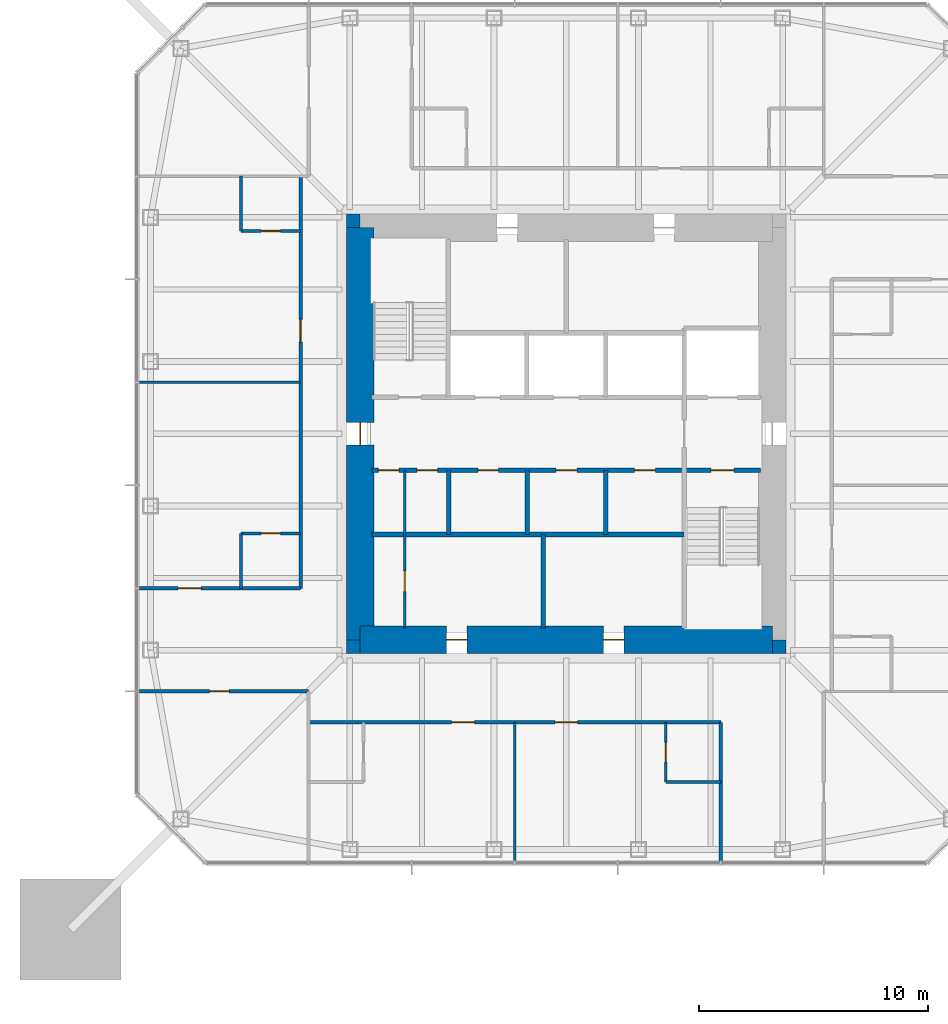
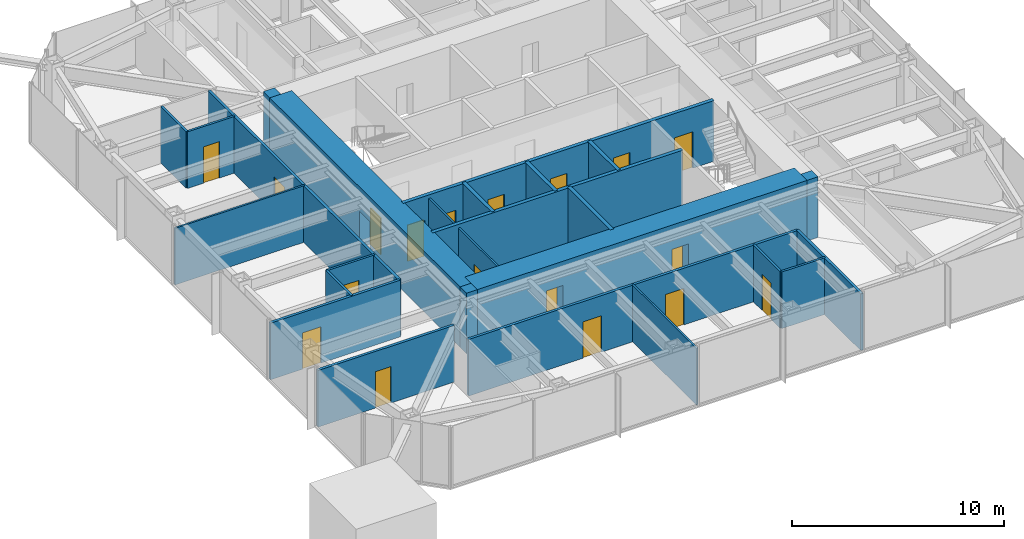
# One storey, part 6 of 11: 25 walls, 18 doors, 18 openings.
"""IFC4 building model written with IfcOpenShell, lengths in metres."""

import ifcopenshell
import ifcopenshell.guid

model = None  # the IFC model being written
_history = None  # IfcOwnerHistory: only IFC2X3 demands one
_inside = {}  # id of a spatial element -> (the spatial element, [elements in it])
_under = {}  # id of a project, library or spatial element -> (it, [spatial elements below it])
_declared = {}  # id of a project -> (the project, [libraries it declares])
_typed = {}  # id of a type object -> (the type object, [elements of that type])
_made_of = {}  # id of a material, layer set ... -> (it, [elements and type objects made of it])


def new_model(schema):
    """Start an empty IFC model of exactly this schema.

    Asked for "IFC4X3", IfcOpenShell would pick the latest addendum, in which some entities
    have other attributes; the version numbers below select the first issue.
    IFC2X3 requires an IfcOwnerHistory on every rooted entity: one is made here for all.
    """
    global model, _history
    if schema == "IFC4X3":
        model = ifcopenshell.file(schema_version=(4, 3, 0, 0))
    else:
        model = ifcopenshell.file(schema=schema)
    _inside.clear()
    _under.clear()
    _declared.clear()
    _typed.clear()
    _made_of.clear()
    _history = None
    if model.schema == "IFC2X3":
        org = make("IfcOrganization", Name="unknown")
        user = make(
            "IfcPersonAndOrganization",
            ThePerson=make("IfcPerson", FamilyName="unknown"),
            TheOrganization=org,
        )
        app = make(
            "IfcApplication",
            ApplicationDeveloper=org,
            Version="unknown",
            ApplicationFullName="unknown",
            ApplicationIdentifier="unknown",
        )
        _history = make(
            "IfcOwnerHistory",
            OwningUser=user,
            OwningApplication=app,
            ChangeAction="ADDED",
            CreationDate=0,
        )
    return model


def make(cls, **values):
    """One entity of the class cls with the attributes given. An attribute that is None is left unset."""
    return model.create_entity(
        cls, **{name: value for name, value in values.items() if value is not None}
    )


def rooted(cls, **values):
    """An entity with a GlobalId (a new one), such as an element, a storey or a relation."""
    return make(cls, GlobalId=ifcopenshell.guid.new(), OwnerHistory=_history, **values)


def si_unit(unit_type, name, prefix=None):
    """IfcSIUnit, for example si_unit("LENGTHUNIT", "METRE", prefix="MILLI")."""
    return make("IfcSIUnit", UnitType=unit_type, Prefix=prefix, Name=name)


def assignment(units):
    """IfcUnitAssignment: the units of a project."""
    return None if units is None else make("IfcUnitAssignment", Units=units)


def point(xyz):
    """IfcCartesianPoint."""
    return None if xyz is None else make("IfcCartesianPoint", Coordinates=xyz)


def direction(xyz):
    """IfcDirection."""
    return None if xyz is None else make("IfcDirection", DirectionRatios=xyz)


def frame(location, z_axis=None, x_axis=None):
    """IfcAxis2Placement3D, a coordinate frame: its origin and axes. An axis left out is left unset."""
    return make(
        "IfcAxis2Placement3D",
        Location=point(location),
        Axis=direction(z_axis),
        RefDirection=direction(x_axis),
    )


def frame_2d(location, x_axis=None):
    """IfcAxis2Placement2D, a coordinate frame in the plane: its origin and x axis."""
    return make(
        "IfcAxis2Placement2D", Location=point(location), RefDirection=direction(x_axis)
    )


def origin():
    """The frame at (0, 0, 0) with its axes left unset."""
    return frame((0.0, 0.0, 0.0))


def place(relative_to, where):
    """IfcLocalPlacement: puts the frame where relative to a parent placement (None: the world)."""
    return make(
        "IfcLocalPlacement", PlacementRelTo=relative_to, RelativePlacement=where
    )


def context(
    kind, dimensions, precision=None, world=None, true_north=None, identifier=None
):
    """IfcGeometricRepresentationContext, for example the 3D "Model" context."""
    return make(
        "IfcGeometricRepresentationContext",
        ContextIdentifier=identifier,
        ContextType=kind,
        CoordinateSpaceDimension=dimensions,
        Precision=precision,
        WorldCoordinateSystem=world,
        TrueNorth=true_north,
    )


def subcontext(parent, identifier, kind, view, scale=None):
    """IfcGeometricRepresentationSubContext, for example "Body" below "Model"."""
    return make(
        "IfcGeometricRepresentationSubContext",
        ContextIdentifier=identifier,
        ContextType=kind,
        ParentContext=parent,
        TargetScale=scale,
        TargetView=view,
    )


def project(units=None, contexts=None):
    """IfcProject with its units and contexts."""
    return rooted(
        "IfcProject",
        Name="project",
        RepresentationContexts=contexts,
        UnitsInContext=assignment(units),
    )


def spatial(cls, under=None, at=None, **own):
    """A site, building, storey or space (cls), placed at a placement, below another one or the project."""
    s = rooted(cls, ObjectPlacement=at, **own)
    if under is not None:
        _under.setdefault(under.id(), (under, []))[1].append(s)
    return s


def profile(cls, at=None, kind="AREA", **sizes):
    """A parametric profile (cls). Its sizes go by their IFC names, for example OverallWidth=200.0."""
    return make(cls, ProfileType=kind, Position=at, **sizes)


def rectangle(**sizes):
    """IfcRectangleProfileDef."""
    return profile("IfcRectangleProfileDef", **sizes)


def extrude(swept, where, along, depth):
    """IfcExtrudedAreaSolid: the profile swept, set in the frame where, extruded along a direction by depth."""
    return make(
        "IfcExtrudedAreaSolid",
        SweptArea=swept,
        Position=where,
        ExtrudedDirection=direction(along),
        Depth=depth,
    )


def shape(context_of_items, identifier, shape_type, items):
    """IfcShapeRepresentation: the items that make up one representation, for example the "Body"."""
    return make(
        "IfcShapeRepresentation",
        ContextOfItems=context_of_items,
        RepresentationIdentifier=identifier,
        RepresentationType=shape_type,
        Items=items,
    )


def material(Name=None, Category=None):
    """IfcMaterial."""
    return make("IfcMaterial", Name=Name, Category=Category)


def layer(
    of_material, thickness, ventilated=None, Name=None, Category=None, Priority=None
):
    """IfcMaterialLayer: one layer of a wall or slab, of a material (None: an air gap)."""
    return make(
        "IfcMaterialLayer",
        Material=of_material,
        LayerThickness=thickness,
        IsVentilated=ventilated,
        Name=Name,
        Category=Category,
        Priority=Priority,
    )


def layer_set(layers, Name=None):
    """IfcMaterialLayerSet."""
    return make("IfcMaterialLayerSet", MaterialLayers=layers, LayerSetName=Name)


def made_of(thing, what):
    """Note that an element or type object is made of a material, layer set ...; save() writes the relation."""
    if what is not None:
        _made_of.setdefault(what.id(), (what, []))[1].append(thing)
    return thing


def type_object(cls, material=None, **own):
    """A type object (cls), such as IfcWallType, which elements share."""
    return made_of(rooted(cls, **own), material)


def element(
    cls,
    number,
    at=None,
    inside=None,
    cuts=None,
    type_object=None,
    material=None,
    context=None,
    identifier="Body",
    shape_type=None,
    held_by="IfcProductDefinitionShape",
    body=None,
    shapes=None,
    **own,
):
    """One element of the class cls, such as IfcWall. Its Tag is "e" and its number.

    at: its placement. inside: the storey or other place that contains it. cuts: it is an
    opening in that element (IfcRelVoidsElement). A single representation is given by context,
    identifier, shape_type and body (its items); several are given by shapes. held_by: the class
    of the entity that holds the representations. save() writes the other relations.
    """
    e = rooted(cls, Tag="e%d" % number, ObjectPlacement=at, **own)
    if body is not None:
        shapes = [shape(context, identifier, shape_type, body)]
    if shapes is not None:
        e.Representation = make(held_by, Representations=shapes)
    if inside is not None:
        _inside.setdefault(inside.id(), (inside, []))[1].append(e)
    if cuts is not None:
        rooted(
            "IfcRelVoidsElement", RelatingBuildingElement=cuts, RelatedOpeningElement=e
        )
    if type_object is not None:
        _typed.setdefault(type_object.id(), (type_object, []))[1].append(e)
    return made_of(e, material)


def fill(opening, filler):
    """IfcRelFillsElement: the door or window that sits in an opening."""
    return rooted(
        "IfcRelFillsElement",
        RelatingOpeningElement=opening,
        RelatedBuildingElement=filler,
    )


def aggregate(whole, parts):
    """IfcRelAggregates: a whole, such as a stair, and the parts it consists of."""
    return rooted("IfcRelAggregates", RelatingObject=whole, RelatedObjects=parts)


def save(model, path):
    """Write the relations noted so far, then the file.

    IfcRelAggregates (storeys below a building ...), IfcRelContainedInSpatialStructure (elements
    in a storey), IfcRelDefinesByType, IfcRelAssociatesMaterial and IfcRelDeclares: one each for
    every whole, place, type object, material and project.
    """
    for whole, parts in _under.values():
        aggregate(whole, parts)
    for where, things in _inside.values():
        rooted(
            "IfcRelContainedInSpatialStructure",
            RelatedElements=things,
            RelatingStructure=where,
        )
    for kind, things in _typed.values():
        rooted("IfcRelDefinesByType", RelatedObjects=things, RelatingType=kind)
    for what, things in _made_of.values():
        rooted("IfcRelAssociatesMaterial", RelatedObjects=things, RelatingMaterial=what)
    for by, libraries in _declared.values():
        rooted("IfcRelDeclares", RelatingContext=by, RelatedDefinitions=libraries)
    model.write(path)


model = new_model("IFC4")

# Units and contexts
model_context = context("Model", 3, precision=1e-05, world=origin(), true_north=direction((0.0, 1.0)))
body_context = subcontext(model_context, "Body", "Model", "MODEL_VIEW")
ifc_project = project(units=[si_unit("LENGTHUNIT", "METRE"), si_unit("AREAUNIT", "SQUARE_METRE"), si_unit("VOLUMEUNIT", "CUBIC_METRE"), si_unit("PLANEANGLEUNIT", "RADIAN"), si_unit("MASSUNIT", "GRAM", prefix="KILO")], contexts=[model_context])

# Site, building, storey
site_placement = place(None, origin())
site = spatial("IfcSite", under=ifc_project, at=site_placement, CompositionType="ELEMENT")
building_placement = place(site_placement, origin())
building = spatial("IfcBuilding", under=site, at=building_placement, Name="Iwan Alto Co-Living Towers", CompositionType="ELEMENT")
storey_placement = place(building_placement, frame((0.0, 0.0, 195.0)))
storey = spatial("IfcBuildingStorey", under=building, at=storey_placement, Name="L53", CompositionType="ELEMENT", Elevation=195.0)

# Wall, openings, doors
ifc_material_1 = material(Name="Gypsum board")
ifc_layer_1 = layer(ifc_material_1, 0.02490234375, Name="Board", Category="Finish")
ifc_material_2 = material(Name="Steel ASTM A1003 ST33H cold-formed studs", Category="steel")
ifc_layer_2 = layer(ifc_material_2, 0.10009765625, Name="Studs", Category="Framing")
ifc_layer_3 = layer(ifc_material_1, 0.02490234375, Name="Board", Category="Finish")
ifc_layer_set_1 = layer_set([ifc_layer_1, ifc_layer_2, ifc_layer_3], Name="CORRIDOR WALL 150")
wall_type_1 = type_object("IfcWallType", Name="CORRIDOR WALL 150", PredefinedType="PARTITIONING", material=ifc_layer_set_1)
wall_1_placement = place(storey_placement, frame((-11.25, -12.60009765625, 0.0), z_axis=(0.0, 0.0, 1.0), x_axis=(1.0, 0.0, 0.0)))
wall_1 = element("IfcWall", 1, at=wall_1_placement, inside=storey, type_object=wall_type_1, Name="Partition L53", PredefinedType="PARTITIONING", context=body_context, shape_type="SweptSolid", body=[
    extrude(rectangle(XDim=18.0, YDim=0.14990234375, at=frame_2d((9.0, 0.0))), origin(), (0.0, 0.0, 1.0), 3.27001953125),
])
opening_1_placement = place(wall_1_placement, frame((6.25, 0.0, 0.0)))
opening_1 = element("IfcOpeningElement", 2, at=opening_1_placement, cuts=wall_1, Name="Opening D3", PredefinedType="OPENING", context=body_context, shape_type="SweptSolid", body=[
    extrude(rectangle(XDim=1.0, YDim=2.10009765625, at=frame_2d((0.5, 1.050048828125))), frame((0.0, 0.0849609375, 0.0), z_axis=(0.0, -1.0, 0.0), x_axis=(1.0, 0.0, 0.0)), (0.0, 0.0, 1.0), 0.169921875),
])
opening_2_placement = place(wall_1_placement, frame((10.75, 0.0, 0.0)))
opening_2 = element("IfcOpeningElement", 3, at=opening_2_placement, cuts=wall_1, Name="Opening D3", PredefinedType="OPENING", context=body_context, shape_type="SweptSolid", body=[
    extrude(rectangle(XDim=1.0, YDim=2.10009765625, at=frame_2d((0.5, 1.050048828125))), frame((0.0, 0.0849609375, 0.0), z_axis=(0.0, -1.0, 0.0), x_axis=(1.0, 0.0, 0.0)), (0.0, 0.0, 1.0), 0.169921875),
])
ifc_material_3 = material(Name="Steel frame with timber leaf", Category="steel")
door_type_1 = type_object("IfcDoorType", Name="FLAT ENTRANCE DOOR FD30S 1000X2100", OperationType="SINGLE_SWING_LEFT", PredefinedType="DOOR", material=ifc_material_3)
door_1_placement = place(opening_1_placement, frame((1.0, 0.0, 0.0), z_axis=(0.0, 0.0, 1.0), x_axis=(-1.0, 0.0, 0.0)))
door_1 = element("IfcDoor", 4, at=door_1_placement, inside=storey, type_object=door_type_1, Name="Studio door L53", OperationType="SINGLE_SWING_LEFT", OverallHeight=2.10009765625, OverallWidth=1.0, PredefinedType="DOOR", context=body_context, shape_type="SweptSolid", body=[
    extrude(rectangle(XDim=1.0, YDim=2.10009765625, at=frame_2d((0.5, 1.050048828125))), frame((0.0, 0.02490234375, 0.0), z_axis=(0.0, -1.0, 0.0), x_axis=(1.0, 0.0, 0.0)), (0.0, 0.0, 1.0), 0.050048828125),
])
fill(opening_1, door_1)
door_2_placement = place(opening_2_placement, frame((1.0, 0.0, 0.0), z_axis=(0.0, 0.0, 1.0), x_axis=(-1.0, 0.0, 0.0)))
door_2 = element("IfcDoor", 5, at=door_2_placement, inside=storey, type_object=door_type_1, Name="Studio door L53", OperationType="SINGLE_SWING_RIGHT", OverallHeight=2.10009765625, OverallWidth=1.0, PredefinedType="DOOR", context=body_context, shape_type="SweptSolid", body=[
    extrude(rectangle(XDim=1.0, YDim=2.10009765625, at=frame_2d((0.5, 1.050048828125))), frame((0.0, 0.02490234375, 0.0), z_axis=(0.0, -1.0, 0.0), x_axis=(1.0, 0.0, 0.0)), (0.0, 0.0, 1.0), 0.050048828125),
])
fill(opening_2, door_2)

# Wall, opening, door
wall_2_placement = place(storey_placement, frame((-18.68994140625, -11.25, 0.0), z_axis=(0.0, 0.0, 1.0), x_axis=(1.0, 0.0, 0.0)))
wall_2 = element("IfcWall", 6, at=wall_2_placement, inside=storey, type_object=wall_type_1, Name="Partition L53", PredefinedType="PARTITIONING", context=body_context, shape_type="SweptSolid", body=[
    extrude(rectangle(XDim=7.43994140625, YDim=0.14990234375, at=frame_2d((3.719970703125, 0.0))), origin(), (0.0, 0.0, 1.0), 3.27001953125),
])
opening_3_placement = place(wall_2_placement, frame((3.1201171875, 0.0, 0.0)))
opening_3 = element("IfcOpeningElement", 7, at=opening_3_placement, cuts=wall_2, Name="Opening D2", PredefinedType="OPENING", context=body_context, shape_type="SweptSolid", body=[
    extrude(rectangle(XDim=0.85009765625, YDim=2.10009765625, at=frame_2d((0.425048828125, 1.050048828125))), frame((0.0, 0.0849609375, 0.0), z_axis=(0.0, -1.0, 0.0), x_axis=(1.0, 0.0, 0.0)), (0.0, 0.0, 1.0), 0.169921875),
])
ifc_material_4 = material(Name="Timber leaf in steel frame", Category="steel")
door_type_2 = type_object("IfcDoorType", Name="ROOM DOOR 850X2100", OperationType="SINGLE_SWING_LEFT", PredefinedType="DOOR", material=ifc_material_4)
door_3_placement = place(opening_3_placement, frame((0.85009765625, 0.0, 0.0), z_axis=(0.0, 0.0, 1.0), x_axis=(-1.0, 0.0, 0.0)))
door_3 = element("IfcDoor", 8, at=door_3_placement, inside=storey, type_object=door_type_2, Name="Shared kitchen and dining room door L53", OperationType="SINGLE_SWING_RIGHT", OverallHeight=2.10009765625, OverallWidth=0.85009765625, PredefinedType="DOOR", context=body_context, shape_type="SweptSolid", body=[
    extrude(rectangle(XDim=0.85009765625, YDim=2.10009765625, at=frame_2d((0.425048828125, 1.050048828125))), frame((0.0, 0.02490234375, 0.0), z_axis=(0.0, -1.0, 0.0), x_axis=(1.0, 0.0, 0.0)), (0.0, 0.0, 1.0), 0.050048828125),
])
fill(opening_3, door_3)

wall_3_placement = place(storey_placement, frame((-18.68994140625, -6.75, 0.0), z_axis=(0.0, 0.0, 1.0), x_axis=(1.0, 0.0, 0.0)))
wall_3 = element("IfcWall", 9, at=wall_3_placement, inside=storey, type_object=wall_type_1, Name="Partition L53", PredefinedType="PARTITIONING", context=body_context, shape_type="SweptSolid", body=[
    extrude(rectangle(XDim=7.08984375, YDim=0.14990234375, at=frame_2d((3.544921875, 0.0))), origin(), (0.0, 0.0, 1.0), 3.27001953125),
])
opening_4_placement = place(wall_3_placement, frame((1.7451171875, 0.0, 0.0)))
opening_4 = element("IfcOpeningElement", 10, at=opening_4_placement, cuts=wall_3, Name="Opening D3", PredefinedType="OPENING", context=body_context, shape_type="SweptSolid", body=[
    extrude(rectangle(XDim=1.0, YDim=2.10009765625, at=frame_2d((0.5, 1.050048828125))), frame((0.0, 0.0849609375, 0.0), z_axis=(0.0, -1.0, 0.0), x_axis=(1.0, 0.0, 0.0)), (0.0, 0.0, 1.0), 0.169921875),
])
door_4_placement = place(opening_4_placement, origin())
door_4 = element("IfcDoor", 11, at=door_4_placement, inside=storey, type_object=door_type_1, Name="Studio door L53", OperationType="SINGLE_SWING_RIGHT", OverallHeight=2.10009765625, OverallWidth=1.0, PredefinedType="DOOR", context=body_context, shape_type="SweptSolid", body=[
    extrude(rectangle(XDim=1.0, YDim=2.10009765625, at=frame_2d((0.5, 1.050048828125))), frame((0.0, 0.02490234375, 0.0), z_axis=(0.0, -1.0, 0.0), x_axis=(1.0, 0.0, 0.0)), (0.0, 0.0, 1.0), 0.050048828125),
])
fill(opening_4, door_4)

# Wall
wall_4_placement = place(storey_placement, frame((6.75, -18.68994140625, 0.0), z_axis=(0.0, 0.0, 1.0), x_axis=(0.0, 1.0, 0.0)))
element("IfcWall", 12, at=wall_4_placement, inside=storey, type_object=wall_type_1, Name="Partition L53", PredefinedType="PARTITIONING", context=body_context, shape_type="SweptSolid", body=[
    extrude(rectangle(XDim=6.08984375, YDim=0.14990234375, at=frame_2d((3.044921875, 0.0))), origin(), (0.0, 0.0, 1.0), 3.27001953125),
])

# Wall, opening, door
wall_5_placement = place(storey_placement, frame((-11.60009765625, -6.75, 0.0), z_axis=(0.0, 0.0, 1.0), x_axis=(0.0, 1.0, 0.0)))
wall_5 = element("IfcWall", 13, at=wall_5_placement, inside=storey, type_object=wall_type_1, Name="Partition L53", PredefinedType="PARTITIONING", context=body_context, shape_type="SweptSolid", body=[
    extrude(rectangle(XDim=18.0, YDim=0.14990234375, at=frame_2d((9.0, 0.0))), origin(), (0.0, 0.0, 1.0), 3.27001953125),
])
opening_5_placement = place(wall_5_placement, frame((10.75, 0.0, 0.0)))
opening_5 = element("IfcOpeningElement", 14, at=opening_5_placement, cuts=wall_5, Name="Opening D3", PredefinedType="OPENING", context=body_context, shape_type="SweptSolid", body=[
    extrude(rectangle(XDim=1.0, YDim=2.10009765625, at=frame_2d((0.5, 1.050048828125))), frame((0.0, 0.0849609375, 0.0), z_axis=(0.0, -1.0, 0.0), x_axis=(1.0, 0.0, 0.0)), (0.0, 0.0, 1.0), 0.169921875),
])
door_5_placement = place(opening_5_placement, origin())
door_5 = element("IfcDoor", 15, at=door_5_placement, inside=storey, type_object=door_type_1, Name="Studio door L53", OperationType="SINGLE_SWING_LEFT", OverallHeight=2.10009765625, OverallWidth=1.0, PredefinedType="DOOR", context=body_context, shape_type="SweptSolid", body=[
    extrude(rectangle(XDim=1.0, YDim=2.10009765625, at=frame_2d((0.5, 1.050048828125))), frame((0.0, 0.02490234375, 0.0), z_axis=(0.0, -1.0, 0.0), x_axis=(1.0, 0.0, 0.0)), (0.0, 0.0, 1.0), 0.050048828125),
])
fill(opening_5, door_5)

# Walls
ifc_layer_4 = layer(ifc_material_1, 0.012451171875, Name="Board", Category="Finish")
ifc_layer_5 = layer(ifc_material_2, 0.074951171875, Name="Studs", Category="Framing")
ifc_layer_6 = layer(ifc_material_1, 0.012451171875, Name="Board", Category="Finish")
ifc_layer_set_2 = layer_set([ifc_layer_4, ifc_layer_5, ifc_layer_6], Name="PARTITION 100")
wall_type_2 = type_object("IfcWallType", Name="PARTITION 100", PredefinedType="PARTITIONING", material=ifc_layer_set_2)
wall_6_placement = place(storey_placement, frame((-18.68994140625, 2.25, 0.0), z_axis=(0.0, 0.0, 1.0), x_axis=(1.0, 0.0, 0.0)))
element("IfcWall", 16, at=wall_6_placement, inside=storey, type_object=wall_type_2, Name="Partition L53", PredefinedType="PARTITIONING", context=body_context, shape_type="SweptSolid", body=[
    extrude(rectangle(XDim=7.08984375, YDim=0.10009765625, at=frame_2d((3.544921875, 0.0))), origin(), (0.0, 0.0, 1.0), 3.27001953125),
])
wall_7_placement = place(storey_placement, frame((-2.25, -18.68994140625, 0.0), z_axis=(0.0, 0.0, 1.0), x_axis=(0.0, 1.0, 0.0)))
element("IfcWall", 17, at=wall_7_placement, inside=storey, type_object=wall_type_2, Name="Partition L53", PredefinedType="PARTITIONING", context=body_context, shape_type="SweptSolid", body=[
    extrude(rectangle(XDim=6.08984375, YDim=0.10009765625, at=frame_2d((3.044921875, 0.0))), origin(), (0.0, 0.0, 1.0), 3.27001953125),
])

# Wall, opening, door
wall_8_placement = place(storey_placement, frame((-7.050048828125, -8.489990234375, 0.0), z_axis=(0.0, 0.0, 1.0), x_axis=(0.0, 1.0, 0.0)))
wall_8 = element("IfcWall", 18, at=wall_8_placement, inside=storey, type_object=wall_type_2, Name="Partition L53", PredefinedType="PARTITIONING", context=body_context, shape_type="SweptSolid", body=[
    extrude(rectangle(XDim=6.889892578125, YDim=0.10009765625, at=frame_2d((3.44482421875, 0.0))), origin(), (0.0, 0.0, 1.0), 3.300048828125),
])
opening_6_placement = place(wall_8_placement, frame((1.594970703125, 0.0, 0.0)))
opening_6 = element("IfcOpeningElement", 19, at=opening_6_placement, cuts=wall_8, Name="Opening D16", PredefinedType="OPENING", context=body_context, shape_type="SweptSolid", body=[
    extrude(rectangle(XDim=0.89990234375, YDim=2.10009765625, at=frame_2d((0.449951171875, 1.050048828125))), frame((0.0, 0.06005859375, 0.0), z_axis=(0.0, -1.0, 0.0), x_axis=(1.0, 0.0, 0.0)), (0.0, 0.0, 1.0), 0.1201171875),
])
ifc_material_5 = material(Name="Timber leaf in steel frame", Category="steel")
door_type_3 = type_object("IfcDoorType", Name="CUPBOARD SLIDING DOOR 900X2100", OperationType="SLIDING_TO_LEFT", PredefinedType="DOOR", material=ifc_material_5)
door_6_placement = place(opening_6_placement, origin())
door_6 = element("IfcDoor", 20, at=door_6_placement, inside=storey, type_object=door_type_3, Name="Bin store door L53", OperationType="SLIDING_TO_RIGHT", OverallHeight=2.10009765625, OverallWidth=0.89990234375, PredefinedType="DOOR", context=body_context, shape_type="SweptSolid", body=[
    extrude(rectangle(XDim=0.89990234375, YDim=2.10009765625, at=frame_2d((0.449951171875, 1.050048828125))), frame((0.0, 0.02490234375, 0.0), z_axis=(0.0, -1.0, 0.0), x_axis=(1.0, 0.0, 0.0)), (0.0, 0.0, 1.0), 0.050048828125),
])
fill(opening_6, door_6)

# Wall
ifc_material_6 = material(Name="Concrete f'c 70 MPa", Category="concrete")
ifc_layer_7 = layer(ifc_material_6, 0.199951171875)
ifc_layer_set_3 = layer_set([ifc_layer_7], Name="SHAFT WALL 200")
wall_type_3 = type_object("IfcWallType", Name="SHAFT WALL 200", PredefinedType="SOLIDWALL", material=ifc_layer_set_3)
wall_9_placement = place(storey_placement, frame((-8.489990234375, -4.39990234375, 0.0), z_axis=(0.0, 0.0, 1.0), x_axis=(1.0, 0.0, 0.0)))
element("IfcWall", 21, at=wall_9_placement, inside=storey, type_object=wall_type_3, Name="Shaft wall L53", PredefinedType="SOLIDWALL", context=body_context, shape_type="SweptSolid", body=[
    extrude(rectangle(XDim=13.639892578125, YDim=0.199951171875, at=frame_2d((6.81982421875, 0.0))), origin(), (0.0, 0.0, 1.0), 3.5),
])

# Wall, openings, doors
wall_10_placement = place(storey_placement, frame((-8.489990234375, -1.60009765625, 0.0), z_axis=(0.0, 0.0, 1.0), x_axis=(1.0, 0.0, 0.0)))
wall_10 = element("IfcWall", 22, at=wall_10_placement, inside=storey, type_object=wall_type_3, Name="Shaft wall L53", PredefinedType="SOLIDWALL", context=body_context, shape_type="SweptSolid", body=[
    extrude(rectangle(XDim=16.97998046875, YDim=0.199951171875, at=frame_2d((8.489990234375, 0.0))), origin(), (0.0, 0.0, 1.0), 3.5),
])
opening_7_placement = place(wall_10_placement, frame((14.81005859375, 0.0, 0.0)))
opening_7 = element("IfcOpeningElement", 23, at=opening_7_placement, cuts=wall_10, Name="Opening D5", PredefinedType="OPENING", context=body_context, shape_type="SweptSolid", body=[
    extrude(rectangle(XDim=1.0, YDim=2.10009765625, at=frame_2d((0.5, 1.050048828125))), frame((0.0, 0.10986328125, 0.0), z_axis=(0.0, -1.0, 0.0), x_axis=(1.0, 0.0, 0.0)), (0.0, 0.0, 1.0), 0.219970703125),
])
opening_8_placement = place(wall_10_placement, frame((1.972900390625, 0.0, 0.0)))
opening_8 = element("IfcOpeningElement", 24, at=opening_8_placement, cuts=wall_10, Name="Opening D15", PredefinedType="OPENING", context=body_context, shape_type="SweptSolid", body=[
    extrude(rectangle(XDim=0.89990234375, YDim=2.10009765625, at=frame_2d((0.449951171875, 1.050048828125))), frame((0.0, 0.10986328125, 0.0), z_axis=(0.0, -1.0, 0.0), x_axis=(1.0, 0.0, 0.0)), (0.0, 0.0, 1.0), 0.219970703125),
])
opening_9_placement = place(wall_10_placement, frame((0.2900390625, 0.0, 0.0)))
opening_9 = element("IfcOpeningElement", 25, at=opening_9_placement, cuts=wall_10, Name="Opening D15", PredefinedType="OPENING", context=body_context, shape_type="SweptSolid", body=[
    extrude(rectangle(XDim=0.89990234375, YDim=2.10009765625, at=frame_2d((0.449951171875, 1.050048828125))), frame((0.0, 0.10986328125, 0.0), z_axis=(0.0, -1.0, 0.0), x_axis=(1.0, 0.0, 0.0)), (0.0, 0.0, 1.0), 0.219970703125),
])
opening_10_placement = place(wall_10_placement, frame((4.626953125, 0.0, 0.0)))
opening_10 = element("IfcOpeningElement", 26, at=opening_10_placement, cuts=wall_10, Name="Opening D15", PredefinedType="OPENING", context=body_context, shape_type="SweptSolid", body=[
    extrude(rectangle(XDim=0.89990234375, YDim=2.10009765625, at=frame_2d((0.449951171875, 1.050048828125))), frame((0.0, 0.10986328125, 0.0), z_axis=(0.0, -1.0, 0.0), x_axis=(1.0, 0.0, 0.0)), (0.0, 0.0, 1.0), 0.219970703125),
])
opening_11_placement = place(wall_10_placement, frame((8.052001953125, 0.0, 0.0)))
opening_11 = element("IfcOpeningElement", 27, at=opening_11_placement, cuts=wall_10, Name="Opening D15", PredefinedType="OPENING", context=body_context, shape_type="SweptSolid", body=[
    extrude(rectangle(XDim=0.89990234375, YDim=2.10009765625, at=frame_2d((0.449951171875, 1.050048828125))), frame((0.0, 0.10986328125, 0.0), z_axis=(0.0, -1.0, 0.0), x_axis=(1.0, 0.0, 0.0)), (0.0, 0.0, 1.0), 0.219970703125),
])
opening_12_placement = place(wall_10_placement, frame((11.47802734375, 0.0, 0.0)))
opening_12 = element("IfcOpeningElement", 28, at=opening_12_placement, cuts=wall_10, Name="Opening D15", PredefinedType="OPENING", context=body_context, shape_type="SweptSolid", body=[
    extrude(rectangle(XDim=0.89990234375, YDim=2.10009765625, at=frame_2d((0.449951171875, 1.050048828125))), frame((0.0, 0.10986328125, 0.0), z_axis=(0.0, -1.0, 0.0), x_axis=(1.0, 0.0, 0.0)), (0.0, 0.0, 1.0), 0.219970703125),
])
ifc_material_7 = material(Name="Steel frame with timber leaf", Category="steel")
door_type_4 = type_object("IfcDoorType", Name="CORE ROOM DOOR FD60S 900X2100", OperationType="SINGLE_SWING_LEFT", PredefinedType="DOOR", material=ifc_material_7)
door_7_placement = place(opening_8_placement, frame((0.89990234375, 0.0, 0.0), z_axis=(0.0, 0.0, 1.0), x_axis=(-1.0, 0.0, 0.0)))
door_7 = element("IfcDoor", 29, at=door_7_placement, inside=storey, type_object=door_type_4, Name="IT room door L53", OperationType="SINGLE_SWING_RIGHT", OverallHeight=2.10009765625, OverallWidth=0.89990234375, PredefinedType="DOOR", context=body_context, shape_type="SweptSolid", body=[
    extrude(rectangle(XDim=0.89990234375, YDim=2.10009765625, at=frame_2d((0.449951171875, 1.050048828125))), frame((0.0, 0.02490234375, 0.0), z_axis=(0.0, -1.0, 0.0), x_axis=(1.0, 0.0, 0.0)), (0.0, 0.0, 1.0), 0.050048828125),
])
fill(opening_8, door_7)
door_8_placement = place(opening_9_placement, frame((0.89990234375, 0.0, 0.0), z_axis=(0.0, 0.0, 1.0), x_axis=(-1.0, 0.0, 0.0)))
door_8 = element("IfcDoor", 30, at=door_8_placement, inside=storey, type_object=door_type_4, Name="Vending and ice room door L53", OperationType="SINGLE_SWING_LEFT", OverallHeight=2.10009765625, OverallWidth=0.89990234375, PredefinedType="DOOR", context=body_context, shape_type="SweptSolid", body=[
    extrude(rectangle(XDim=0.89990234375, YDim=2.10009765625, at=frame_2d((0.449951171875, 1.050048828125))), frame((0.0, 0.02490234375, 0.0), z_axis=(0.0, -1.0, 0.0), x_axis=(1.0, 0.0, 0.0)), (0.0, 0.0, 1.0), 0.050048828125),
])
fill(opening_9, door_8)
door_9_placement = place(opening_10_placement, frame((0.89990234375, 0.0, 0.0), z_axis=(0.0, 0.0, 1.0), x_axis=(-1.0, 0.0, 0.0)))
door_9 = element("IfcDoor", 31, at=door_9_placement, inside=storey, type_object=door_type_4, Name="Bulk store door L53", OperationType="SINGLE_SWING_RIGHT", OverallHeight=2.10009765625, OverallWidth=0.89990234375, PredefinedType="DOOR", context=body_context, shape_type="SweptSolid", body=[
    extrude(rectangle(XDim=0.89990234375, YDim=2.10009765625, at=frame_2d((0.449951171875, 1.050048828125))), frame((0.0, 0.02490234375, 0.0), z_axis=(0.0, -1.0, 0.0), x_axis=(1.0, 0.0, 0.0)), (0.0, 0.0, 1.0), 0.050048828125),
])
fill(opening_10, door_9)
door_10_placement = place(opening_11_placement, frame((0.89990234375, 0.0, 0.0), z_axis=(0.0, 0.0, 1.0), x_axis=(-1.0, 0.0, 0.0)))
door_10 = element("IfcDoor", 32, at=door_10_placement, inside=storey, type_object=door_type_4, Name="Bulk store door L53", OperationType="SINGLE_SWING_RIGHT", OverallHeight=2.10009765625, OverallWidth=0.89990234375, PredefinedType="DOOR", context=body_context, shape_type="SweptSolid", body=[
    extrude(rectangle(XDim=0.89990234375, YDim=2.10009765625, at=frame_2d((0.449951171875, 1.050048828125))), frame((0.0, 0.02490234375, 0.0), z_axis=(0.0, -1.0, 0.0), x_axis=(1.0, 0.0, 0.0)), (0.0, 0.0, 1.0), 0.050048828125),
])
fill(opening_11, door_10)
door_11_placement = place(opening_12_placement, frame((0.89990234375, 0.0, 0.0), z_axis=(0.0, 0.0, 1.0), x_axis=(-1.0, 0.0, 0.0)))
door_11 = element("IfcDoor", 33, at=door_11_placement, inside=storey, type_object=door_type_4, Name="Vending and ice room door L53", OperationType="SINGLE_SWING_RIGHT", OverallHeight=2.10009765625, OverallWidth=0.89990234375, PredefinedType="DOOR", context=body_context, shape_type="SweptSolid", body=[
    extrude(rectangle(XDim=0.89990234375, YDim=2.10009765625, at=frame_2d((0.449951171875, 1.050048828125))), frame((0.0, 0.02490234375, 0.0), z_axis=(0.0, -1.0, 0.0), x_axis=(1.0, 0.0, 0.0)), (0.0, 0.0, 1.0), 0.050048828125),
])
fill(opening_12, door_11)
ifc_material_8 = material(Name="Steel frame with timber leaf", Category="steel")
door_type_5 = type_object("IfcDoorType", Name="STAIR DOOR FD120S 1000X2100", OperationType="SINGLE_SWING_LEFT", PredefinedType="DOOR", material=ifc_material_8)
door_12_placement = place(opening_7_placement, frame((1.0, 0.0, 0.0), z_axis=(0.0, 0.0, 1.0), x_axis=(-1.0, 0.0, 0.0)))
door_12 = element("IfcDoor", 34, at=door_12_placement, inside=storey, type_object=door_type_5, Name="Stair S2 door L53", OperationType="SINGLE_SWING_RIGHT", OverallHeight=2.10009765625, OverallWidth=1.0, PredefinedType="DOOR", context=body_context, shape_type="SweptSolid", body=[
    extrude(rectangle(XDim=1.0, YDim=2.10009765625, at=frame_2d((0.5, 1.050048828125))), frame((0.0, 0.02490234375, 0.0), z_axis=(0.0, -1.0, 0.0), x_axis=(1.0, 0.0, 0.0)), (0.0, 0.0, 1.0), 0.050048828125),
])
fill(opening_7, door_12)

# Walls
wall_11_placement = place(storey_placement, frame((1.72509765625, -4.39990234375, 0.0), z_axis=(0.0, 0.0, 1.0), x_axis=(0.0, 1.0, 0.0)))
element("IfcWall", 35, at=wall_11_placement, inside=storey, type_object=wall_type_3, Name="Shaft wall L53", PredefinedType="SOLIDWALL", context=body_context, shape_type="SweptSolid", body=[
    extrude(rectangle(XDim=2.7998046875, YDim=0.199951171875, at=frame_2d((1.39990234375, 0.0))), origin(), (0.0, 0.0, 1.0), 3.5),
])
wall_12_placement = place(storey_placement, frame((-1.0, -8.489990234375, 0.0), z_axis=(0.0, 0.0, 1.0), x_axis=(0.0, 1.0, 0.0)))
element("IfcWall", 36, at=wall_12_placement, inside=storey, type_object=wall_type_3, Name="Shaft wall L53", PredefinedType="SOLIDWALL", context=body_context, shape_type="SweptSolid", body=[
    extrude(rectangle(XDim=4.090087890625, YDim=0.199951171875, at=frame_2d((2.044921875, 0.0))), origin(), (0.0, 0.0, 1.0), 3.5),
])
for number, where, z_axis, x_axis, name in (
    (37, (-1.699951171875, -4.39990234375, 0.0), (0.0, 0.0, 1.0), (0.0, 1.0, 0.0), "Shaft wall L53"),
    (38, (-5.125, -4.39990234375, 0.0), (0.0, 0.0, 1.0), (0.0, 1.0, 0.0), "Shaft wall L53"),
):
    element("IfcWall", number, at=place(storey_placement, frame(where, z_axis=z_axis, x_axis=x_axis)), inside=storey, type_object=wall_type_3, Name=name, PredefinedType="SOLIDWALL", context=body_context, shape_type="SweptSolid", body=[
        extrude(rectangle(XDim=2.7998046875, YDim=0.199951171875, at=frame_2d((1.39990234375, 0.0))), origin(), (0.0, 0.0, 1.0), 3.5),
    ])
ifc_material_9 = material(Name="Concrete f'c 70 MPa", Category="concrete")
ifc_layer_8 = layer(ifc_material_9, 0.60009765625)
ifc_layer_set_4 = layer_set([ifc_layer_8], Name="T1 CORE CORNER FILL 600")
wall_type_4 = type_object("IfcWallType", Name="T1 CORE CORNER FILL 600", PredefinedType="SOLIDWALL", material=ifc_layer_set_4)
for number, where, z_axis, x_axis, name in (
    (39, (-9.60009765625, -9.300048828125, 0.0), (0.0, 0.0, 1.0), (1.0, 0.0, 0.0), "T1 core corner SW L53"),
    (40, (9.0, -9.300048828125, 0.0), (0.0, 0.0, 1.0), (1.0, 0.0, 0.0), "T1 core corner SE L53"),
    (41, (-9.60009765625, 9.300048828125, 0.0), (0.0, 0.0, 1.0), (1.0, 0.0, 0.0), "T1 core corner NW L53"),
):
    element("IfcWall", number, at=place(storey_placement, frame(where, z_axis=z_axis, x_axis=x_axis)), inside=storey, type_object=wall_type_4, Name=name, PredefinedType="SOLIDWALL", context=body_context, shape_type="SweptSolid", body=[
        extrude(rectangle(XDim=0.60009765625, YDim=0.60009765625, at=frame_2d((0.300048828125, 0.0))), origin(), (0.0, 0.0, 1.0), 3.5),
    ])

# Wall, openings, doors
ifc_material_10 = material(Name="Concrete f'c 70 MPa", Category="concrete")
ifc_layer_9 = layer(ifc_material_10, 1.199951171875)
ifc_layer_set_5 = layer_set([ifc_layer_9], Name="T1 CORE WALL 1200")
wall_type_5 = type_object("IfcWallType", Name="T1 CORE WALL 1200", PredefinedType="SHEAR", material=ifc_layer_set_5)
wall_13_placement = place(storey_placement, frame((-9.0, -9.0, 0.0), z_axis=(0.0, 0.0, 1.0), x_axis=(1.0, 0.0, 0.0)))
wall_13 = element("IfcWall", 42, at=wall_13_placement, inside=storey, type_object=wall_type_5, Name="T1 core wall S L53", PredefinedType="SHEAR", context=body_context, shape_type="SweptSolid", body=[
    extrude(rectangle(XDim=18.0, YDim=1.199951171875, at=frame_2d((9.0, 0.0))), origin(), (0.0, 0.0, 1.0), 3.5),
])
opening_13_placement = place(wall_13_placement, frame((3.77490234375, 0.0, 0.0)))
opening_13 = element("IfcOpeningElement", 43, at=opening_13_placement, cuts=wall_13, Name="Opening D8", PredefinedType="OPENING", context=body_context, shape_type="SweptSolid", body=[
    extrude(rectangle(XDim=0.89990234375, YDim=2.10009765625, at=frame_2d((0.449951171875, 1.050048828125))), frame((0.0, 0.60986328125, 0.0), z_axis=(0.0, -1.0, 0.0), x_axis=(1.0, 0.0, 0.0)), (0.0, 0.0, 1.0), 1.219970703125),
])
opening_14_placement = place(wall_13_placement, frame((10.625, 0.0, 0.0)))
opening_14 = element("IfcOpeningElement", 44, at=opening_14_placement, cuts=wall_13, Name="Opening D8", PredefinedType="OPENING", context=body_context, shape_type="SweptSolid", body=[
    extrude(rectangle(XDim=0.89990234375, YDim=2.10009765625, at=frame_2d((0.449951171875, 1.050048828125))), frame((0.0, 0.60986328125, 0.0), z_axis=(0.0, -1.0, 0.0), x_axis=(1.0, 0.0, 0.0)), (0.0, 0.0, 1.0), 1.219970703125),
])
ifc_material_11 = material(Name="Steel frame with timber leaf", Category="steel")
door_type_6 = type_object("IfcDoorType", Name="RISER DOOR FD120 900X2100", OperationType="SINGLE_SWING_LEFT", PredefinedType="DOOR", material=ifc_material_11)
door_13_placement = place(opening_13_placement, origin())
door_13 = element("IfcDoor", 45, at=door_13_placement, inside=storey, type_object=door_type_6, Name="Refuse room core door L53", OperationType="SINGLE_SWING_LEFT", OverallHeight=2.10009765625, OverallWidth=0.89990234375, PredefinedType="DOOR", context=body_context, shape_type="SweptSolid", body=[
    extrude(rectangle(XDim=0.89990234375, YDim=2.10009765625, at=frame_2d((0.449951171875, 1.050048828125))), frame((0.0, 0.02490234375, 0.0), z_axis=(0.0, -1.0, 0.0), x_axis=(1.0, 0.0, 0.0)), (0.0, 0.0, 1.0), 0.050048828125),
])
fill(opening_13, door_13)
door_14_placement = place(opening_14_placement, origin())
door_14 = element("IfcDoor", 46, at=door_14_placement, inside=storey, type_object=door_type_6, Name="Telecom riser core door L53", OperationType="SINGLE_SWING_LEFT", OverallHeight=2.10009765625, OverallWidth=0.89990234375, PredefinedType="DOOR", context=body_context, shape_type="SweptSolid", body=[
    extrude(rectangle(XDim=0.89990234375, YDim=2.10009765625, at=frame_2d((0.449951171875, 1.050048828125))), frame((0.0, 0.02490234375, 0.0), z_axis=(0.0, -1.0, 0.0), x_axis=(1.0, 0.0, 0.0)), (0.0, 0.0, 1.0), 0.050048828125),
])
fill(opening_14, door_14)

# Wall, opening, door
wall_14_placement = place(storey_placement, frame((-9.0, 9.0, 0.0), z_axis=(0.0, 0.0, 1.0), x_axis=(0.0, -1.0, 0.0)))
wall_14 = element("IfcWall", 47, at=wall_14_placement, inside=storey, type_object=wall_type_5, Name="T1 core wall W L53", PredefinedType="SHEAR", context=body_context, shape_type="SweptSolid", body=[
    extrude(rectangle(XDim=18.0, YDim=1.199951171875, at=frame_2d((9.0, 0.0))), origin(), (0.0, 0.0, 1.0), 3.5),
])
opening_15_placement = place(wall_14_placement, frame((8.5, 0.0, 0.0)))
opening_15 = element("IfcOpeningElement", 48, at=opening_15_placement, cuts=wall_14, Name="Opening D7", PredefinedType="OPENING", context=body_context, shape_type="SweptSolid", body=[
    extrude(rectangle(XDim=1.0, YDim=2.10009765625, at=frame_2d((0.5, 1.050048828125))), frame((0.0, 0.60986328125, 0.0), z_axis=(0.0, -1.0, 0.0), x_axis=(1.0, 0.0, 0.0)), (0.0, 0.0, 1.0), 1.219970703125),
])
ifc_material_12 = material(Name="Steel frame with timber leaf", Category="steel")
door_type_7 = type_object("IfcDoorType", Name="CORE DOOR FD120S 1000X2100", OperationType="SINGLE_SWING_LEFT", PredefinedType="DOOR", material=ifc_material_12)
door_15_placement = place(opening_15_placement, origin())
door_15 = element("IfcDoor", 49, at=door_15_placement, inside=storey, type_object=door_type_7, Name="Lift lobby core door L53", OperationType="SINGLE_SWING_RIGHT", OverallHeight=2.10009765625, OverallWidth=1.0, PredefinedType="DOOR", context=body_context, shape_type="SweptSolid", body=[
    extrude(rectangle(XDim=1.0, YDim=2.10009765625, at=frame_2d((0.5, 1.050048828125))), frame((0.0, 0.02490234375, 0.0), z_axis=(0.0, -1.0, 0.0), x_axis=(1.0, 0.0, 0.0)), (0.0, 0.0, 1.0), 0.050048828125),
])
fill(opening_15, door_15)

# Wall
ifc_material_13 = material(Name="Cement board")
ifc_layer_10 = layer(ifc_material_13, 0.012451171875, Name="Board", Category="Finish")
ifc_layer_11 = layer(ifc_material_2, 0.094970703125, Name="Studs", Category="Framing")
ifc_layer_12 = layer(ifc_material_13, 0.012451171875, Name="Board", Category="Finish")
ifc_layer_set_6 = layer_set([ifc_layer_10, ifc_layer_11, ifc_layer_12], Name="WET AREA PARTITION 120")
wall_type_6 = type_object("IfcWallType", Name="WET AREA PARTITION 120", PredefinedType="PARTITIONING", material=ifc_layer_set_6)
wall_15_placement = place(storey_placement, frame((4.35009765625, -15.199951171875, 0.0), z_axis=(0.0, 0.0, 1.0), x_axis=(1.0, 0.0, 0.0)))
element("IfcWall", 50, at=wall_15_placement, inside=storey, type_object=wall_type_6, Name="Partition L53", PredefinedType="PARTITIONING", context=body_context, shape_type="SweptSolid", body=[
    extrude(rectangle(XDim=2.39990234375, YDim=0.1201171875, at=frame_2d((1.199951171875, 0.0))), origin(), (0.0, 0.0, 1.0), 3.27001953125),
])

# Wall, opening, door
wall_16_placement = place(storey_placement, frame((-14.199951171875, -4.35009765625, 0.0), z_axis=(0.0, 0.0, 1.0), x_axis=(1.0, 0.0, 0.0)))
wall_16 = element("IfcWall", 51, at=wall_16_placement, inside=storey, type_object=wall_type_6, Name="Partition L53", PredefinedType="PARTITIONING", context=body_context, shape_type="SweptSolid", body=[
    extrude(rectangle(XDim=2.599853515625, YDim=0.1201171875, at=frame_2d((1.2998046875, 0.0))), origin(), (0.0, 0.0, 1.0), 3.27001953125),
])
opening_16_placement = place(wall_16_placement, frame((0.875, 0.0, 0.0)))
opening_16 = element("IfcOpeningElement", 52, at=opening_16_placement, cuts=wall_16, Name="Opening D2", PredefinedType="OPENING", context=body_context, shape_type="SweptSolid", body=[
    extrude(rectangle(XDim=0.85009765625, YDim=2.10009765625, at=frame_2d((0.425048828125, 1.050048828125))), frame((0.0, 0.070068359375, 0.0), z_axis=(0.0, -1.0, 0.0), x_axis=(1.0, 0.0, 0.0)), (0.0, 0.0, 1.0), 0.14013671875),
])
door_16_placement = place(opening_16_placement, origin())
door_16 = element("IfcDoor", 53, at=door_16_placement, inside=storey, type_object=door_type_2, Name="En-suite shower room door L53", OperationType="SINGLE_SWING_RIGHT", OverallHeight=2.10009765625, OverallWidth=0.85009765625, PredefinedType="DOOR", context=body_context, shape_type="SweptSolid", body=[
    extrude(rectangle(XDim=0.85009765625, YDim=2.10009765625, at=frame_2d((0.425048828125, 1.050048828125))), frame((0.0, 0.02490234375, 0.0), z_axis=(0.0, -1.0, 0.0), x_axis=(1.0, 0.0, 0.0)), (0.0, 0.0, 1.0), 0.050048828125),
])
fill(opening_16, door_16)

wall_17_placement = place(storey_placement, frame((-14.199951171875, 8.85009765625, 0.0), z_axis=(0.0, 0.0, 1.0), x_axis=(1.0, 0.0, 0.0)))
wall_17 = element("IfcWall", 54, at=wall_17_placement, inside=storey, type_object=wall_type_6, Name="Partition L53", PredefinedType="PARTITIONING", context=body_context, shape_type="SweptSolid", body=[
    extrude(rectangle(XDim=2.599853515625, YDim=0.1201171875, at=frame_2d((1.2998046875, 0.0))), origin(), (0.0, 0.0, 1.0), 3.27001953125),
])
opening_17_placement = place(wall_17_placement, frame((0.875, 0.0, 0.0)))
opening_17 = element("IfcOpeningElement", 55, at=opening_17_placement, cuts=wall_17, Name="Opening D2", PredefinedType="OPENING", context=body_context, shape_type="SweptSolid", body=[
    extrude(rectangle(XDim=0.85009765625, YDim=2.10009765625, at=frame_2d((0.425048828125, 1.050048828125))), frame((0.0, 0.070068359375, 0.0), z_axis=(0.0, -1.0, 0.0), x_axis=(1.0, 0.0, 0.0)), (0.0, 0.0, 1.0), 0.14013671875),
])
door_17_placement = place(opening_17_placement, frame((0.85009765625, 0.0, 0.0), z_axis=(0.0, 0.0, 1.0), x_axis=(-1.0, 0.0, 0.0)))
door_17 = element("IfcDoor", 56, at=door_17_placement, inside=storey, type_object=door_type_2, Name="En-suite shower room door L53", OperationType="SINGLE_SWING_LEFT", OverallHeight=2.10009765625, OverallWidth=0.85009765625, PredefinedType="DOOR", context=body_context, shape_type="SweptSolid", body=[
    extrude(rectangle(XDim=0.85009765625, YDim=2.10009765625, at=frame_2d((0.425048828125, 1.050048828125))), frame((0.0, 0.02490234375, 0.0), z_axis=(0.0, -1.0, 0.0), x_axis=(1.0, 0.0, 0.0)), (0.0, 0.0, 1.0), 0.050048828125),
])
fill(opening_17, door_17)

wall_18_placement = place(storey_placement, frame((4.35009765625, -15.199951171875, 0.0), z_axis=(0.0, 0.0, 1.0), x_axis=(0.0, 1.0, 0.0)))
wall_18 = element("IfcWall", 57, at=wall_18_placement, inside=storey, type_object=wall_type_6, Name="Partition L53", PredefinedType="PARTITIONING", context=body_context, shape_type="SweptSolid", body=[
    extrude(rectangle(XDim=2.599853515625, YDim=0.1201171875, at=frame_2d((1.2998046875, 0.0))), origin(), (0.0, 0.0, 1.0), 3.27001953125),
])
opening_18_placement = place(wall_18_placement, frame((0.875, 0.0, 0.0)))
opening_18 = element("IfcOpeningElement", 58, at=opening_18_placement, cuts=wall_18, Name="Opening D2", PredefinedType="OPENING", context=body_context, shape_type="SweptSolid", body=[
    extrude(rectangle(XDim=0.85009765625, YDim=2.10009765625, at=frame_2d((0.425048828125, 1.050048828125))), frame((0.0, 0.070068359375, 0.0), z_axis=(0.0, -1.0, 0.0), x_axis=(1.0, 0.0, 0.0)), (0.0, 0.0, 1.0), 0.14013671875),
])
door_18_placement = place(opening_18_placement, origin())
door_18 = element("IfcDoor", 59, at=door_18_placement, inside=storey, type_object=door_type_2, Name="En-suite shower room door L53", OperationType="SINGLE_SWING_RIGHT", OverallHeight=2.10009765625, OverallWidth=0.85009765625, PredefinedType="DOOR", context=body_context, shape_type="SweptSolid", body=[
    extrude(rectangle(XDim=0.85009765625, YDim=2.10009765625, at=frame_2d((0.425048828125, 1.050048828125))), frame((0.0, 0.02490234375, 0.0), z_axis=(0.0, -1.0, 0.0), x_axis=(1.0, 0.0, 0.0)), (0.0, 0.0, 1.0), 0.050048828125),
])
fill(opening_18, door_18)

# Walls
for number, where, z_axis, x_axis, name in (
    (60, (-14.199951171875, -6.75, 0.0), (0.0, 0.0, 1.0), (0.0, 1.0, 0.0), "Partition L53"),
    (61, (-14.199951171875, 8.85009765625, 0.0), (0.0, 0.0, 1.0), (0.0, 1.0, 0.0), "Partition L53"),
):
    element("IfcWall", number, at=place(storey_placement, frame(where, z_axis=z_axis, x_axis=x_axis)), inside=storey, type_object=wall_type_6, Name=name, PredefinedType="PARTITIONING", context=body_context, shape_type="SweptSolid", body=[
        extrude(rectangle(XDim=2.39990234375, YDim=0.1201171875, at=frame_2d((1.199951171875, 0.0))), origin(), (0.0, 0.0, 1.0), 3.27001953125),
    ])

save(model, "model.ifc")
